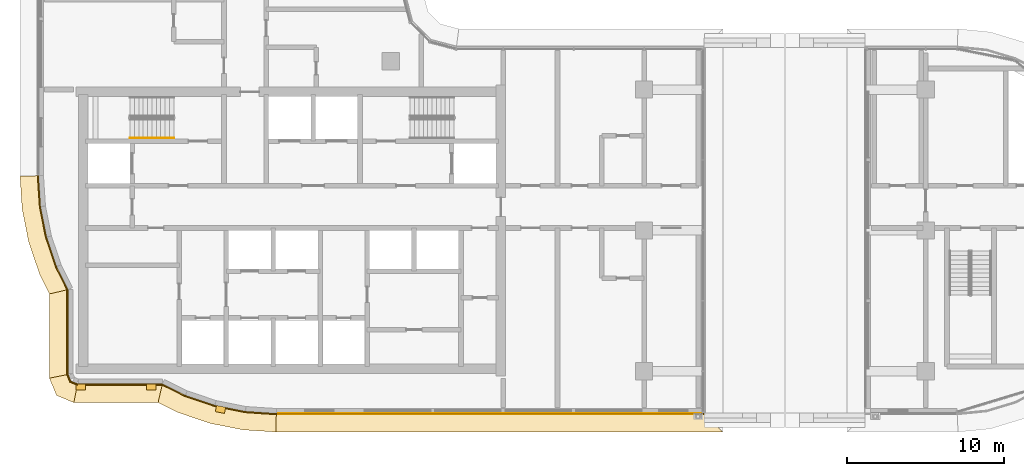
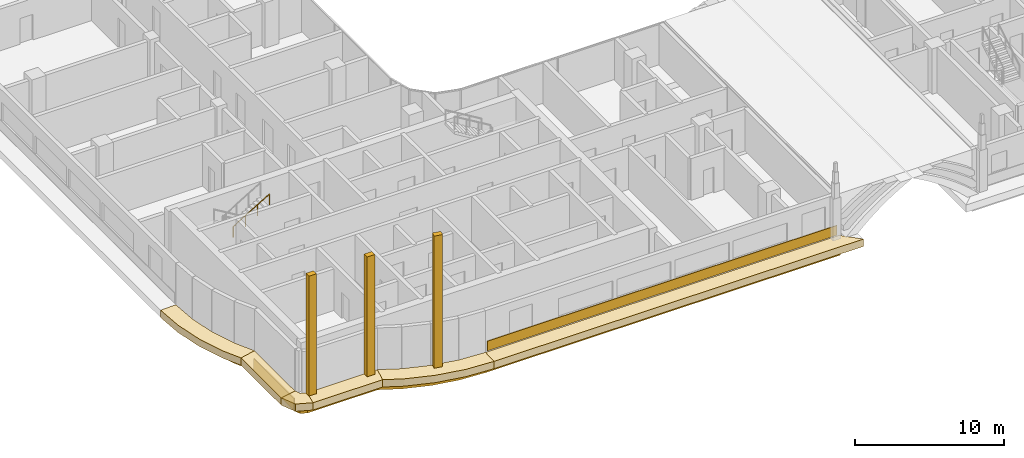
# One storey, part 17 of 23: 16 coverings, 1 railing.
"""IFC4 building model written with IfcOpenShell, lengths in metres."""

import ifcopenshell
import ifcopenshell.guid

model = None  # the IFC model being written
_history = None  # IfcOwnerHistory: only IFC2X3 demands one
_inside = {}  # id of a spatial element -> (the spatial element, [elements in it])
_under = {}  # id of a project, library or spatial element -> (it, [spatial elements below it])
_declared = {}  # id of a project -> (the project, [libraries it declares])
_typed = {}  # id of a type object -> (the type object, [elements of that type])
_made_of = {}  # id of a material, layer set ... -> (it, [elements and type objects made of it])


def new_model(schema):
    """Start an empty IFC model of exactly this schema.

    Asked for "IFC4X3", IfcOpenShell would pick the latest addendum, in which some entities
    have other attributes; the version numbers below select the first issue.
    IFC2X3 requires an IfcOwnerHistory on every rooted entity: one is made here for all.
    """
    global model, _history
    if schema == "IFC4X3":
        model = ifcopenshell.file(schema_version=(4, 3, 0, 0))
    else:
        model = ifcopenshell.file(schema=schema)
    _inside.clear()
    _under.clear()
    _declared.clear()
    _typed.clear()
    _made_of.clear()
    _history = None
    if model.schema == "IFC2X3":
        org = make("IfcOrganization", Name="unknown")
        user = make(
            "IfcPersonAndOrganization",
            ThePerson=make("IfcPerson", FamilyName="unknown"),
            TheOrganization=org,
        )
        app = make(
            "IfcApplication",
            ApplicationDeveloper=org,
            Version="unknown",
            ApplicationFullName="unknown",
            ApplicationIdentifier="unknown",
        )
        _history = make(
            "IfcOwnerHistory",
            OwningUser=user,
            OwningApplication=app,
            ChangeAction="ADDED",
            CreationDate=0,
        )
    return model


def make(cls, **values):
    """One entity of the class cls with the attributes given. An attribute that is None is left unset."""
    return model.create_entity(
        cls, **{name: value for name, value in values.items() if value is not None}
    )


def rooted(cls, **values):
    """An entity with a GlobalId (a new one), such as an element, a storey or a relation."""
    return make(cls, GlobalId=ifcopenshell.guid.new(), OwnerHistory=_history, **values)


def si_unit(unit_type, name, prefix=None):
    """IfcSIUnit, for example si_unit("LENGTHUNIT", "METRE", prefix="MILLI")."""
    return make("IfcSIUnit", UnitType=unit_type, Prefix=prefix, Name=name)


def assignment(units):
    """IfcUnitAssignment: the units of a project."""
    return None if units is None else make("IfcUnitAssignment", Units=units)


def point(xyz):
    """IfcCartesianPoint."""
    return None if xyz is None else make("IfcCartesianPoint", Coordinates=xyz)


def direction(xyz):
    """IfcDirection."""
    return None if xyz is None else make("IfcDirection", DirectionRatios=xyz)


def frame(location, z_axis=None, x_axis=None):
    """IfcAxis2Placement3D, a coordinate frame: its origin and axes. An axis left out is left unset."""
    return make(
        "IfcAxis2Placement3D",
        Location=point(location),
        Axis=direction(z_axis),
        RefDirection=direction(x_axis),
    )


def frame_2d(location, x_axis=None):
    """IfcAxis2Placement2D, a coordinate frame in the plane: its origin and x axis."""
    return make(
        "IfcAxis2Placement2D", Location=point(location), RefDirection=direction(x_axis)
    )


def origin():
    """The frame at (0, 0, 0) with its axes left unset."""
    return frame((0.0, 0.0, 0.0))


def origin_2d():
    """The frame at (0, 0) in the plane with its x axis left unset."""
    return frame_2d((0.0, 0.0))


def place(relative_to, where):
    """IfcLocalPlacement: puts the frame where relative to a parent placement (None: the world)."""
    return make(
        "IfcLocalPlacement", PlacementRelTo=relative_to, RelativePlacement=where
    )


def context(
    kind, dimensions, precision=None, world=None, true_north=None, identifier=None
):
    """IfcGeometricRepresentationContext, for example the 3D "Model" context."""
    return make(
        "IfcGeometricRepresentationContext",
        ContextIdentifier=identifier,
        ContextType=kind,
        CoordinateSpaceDimension=dimensions,
        Precision=precision,
        WorldCoordinateSystem=world,
        TrueNorth=true_north,
    )


def subcontext(parent, identifier, kind, view, scale=None):
    """IfcGeometricRepresentationSubContext, for example "Body" below "Model"."""
    return make(
        "IfcGeometricRepresentationSubContext",
        ContextIdentifier=identifier,
        ContextType=kind,
        ParentContext=parent,
        TargetScale=scale,
        TargetView=view,
    )


def project(units=None, contexts=None):
    """IfcProject with its units and contexts."""
    return rooted(
        "IfcProject",
        Name="project",
        RepresentationContexts=contexts,
        UnitsInContext=assignment(units),
    )


def spatial(cls, under=None, at=None, **own):
    """A site, building, storey or space (cls), placed at a placement, below another one or the project."""
    s = rooted(cls, ObjectPlacement=at, **own)
    if under is not None:
        _under.setdefault(under.id(), (under, []))[1].append(s)
    return s


def polyline(points):
    """IfcPolyline through the points."""
    return make("IfcPolyline", Points=[point(p) for p in points])


def profile(cls, at=None, kind="AREA", **sizes):
    """A parametric profile (cls). Its sizes go by their IFC names, for example OverallWidth=200.0."""
    return make(cls, ProfileType=kind, Position=at, **sizes)


def rectangle(**sizes):
    """IfcRectangleProfileDef."""
    return profile("IfcRectangleProfileDef", **sizes)


def circle(**sizes):
    """IfcCircleProfileDef."""
    return profile("IfcCircleProfileDef", **sizes)


def outline(outer, holes=None, kind="AREA"):
    """IfcArbitraryClosedProfileDef: a profile drawn as a closed curve; with holes, ...WithVoids."""
    if holes is None:
        return make("IfcArbitraryClosedProfileDef", ProfileType=kind, OuterCurve=outer)
    return make(
        "IfcArbitraryProfileDefWithVoids",
        ProfileType=kind,
        OuterCurve=outer,
        InnerCurves=holes,
    )


def extrude(swept, where, along, depth):
    """IfcExtrudedAreaSolid: the profile swept, set in the frame where, extruded along a direction by depth."""
    return make(
        "IfcExtrudedAreaSolid",
        SweptArea=swept,
        Position=where,
        ExtrudedDirection=direction(along),
        Depth=depth,
    )


def shape(context_of_items, identifier, shape_type, items):
    """IfcShapeRepresentation: the items that make up one representation, for example the "Body"."""
    return make(
        "IfcShapeRepresentation",
        ContextOfItems=context_of_items,
        RepresentationIdentifier=identifier,
        RepresentationType=shape_type,
        Items=items,
    )


def material(Name=None, Category=None):
    """IfcMaterial."""
    return make("IfcMaterial", Name=Name, Category=Category)


def layer(
    of_material, thickness, ventilated=None, Name=None, Category=None, Priority=None
):
    """IfcMaterialLayer: one layer of a wall or slab, of a material (None: an air gap)."""
    return make(
        "IfcMaterialLayer",
        Material=of_material,
        LayerThickness=thickness,
        IsVentilated=ventilated,
        Name=Name,
        Category=Category,
        Priority=Priority,
    )


def layer_set(layers, Name=None):
    """IfcMaterialLayerSet."""
    return make("IfcMaterialLayerSet", MaterialLayers=layers, LayerSetName=Name)


def made_of(thing, what):
    """Note that an element or type object is made of a material, layer set ...; save() writes the relation."""
    if what is not None:
        _made_of.setdefault(what.id(), (what, []))[1].append(thing)
    return thing


def type_object(cls, material=None, **own):
    """A type object (cls), such as IfcWallType, which elements share."""
    return made_of(rooted(cls, **own), material)


def element(
    cls,
    number,
    at=None,
    inside=None,
    cuts=None,
    type_object=None,
    material=None,
    context=None,
    identifier="Body",
    shape_type=None,
    held_by="IfcProductDefinitionShape",
    body=None,
    shapes=None,
    **own,
):
    """One element of the class cls, such as IfcWall. Its Tag is "e" and its number.

    at: its placement. inside: the storey or other place that contains it. cuts: it is an
    opening in that element (IfcRelVoidsElement). A single representation is given by context,
    identifier, shape_type and body (its items); several are given by shapes. held_by: the class
    of the entity that holds the representations. save() writes the other relations.
    """
    e = rooted(cls, Tag="e%d" % number, ObjectPlacement=at, **own)
    if body is not None:
        shapes = [shape(context, identifier, shape_type, body)]
    if shapes is not None:
        e.Representation = make(held_by, Representations=shapes)
    if inside is not None:
        _inside.setdefault(inside.id(), (inside, []))[1].append(e)
    if cuts is not None:
        rooted(
            "IfcRelVoidsElement", RelatingBuildingElement=cuts, RelatedOpeningElement=e
        )
    if type_object is not None:
        _typed.setdefault(type_object.id(), (type_object, []))[1].append(e)
    return made_of(e, material)


def aggregate(whole, parts):
    """IfcRelAggregates: a whole, such as a stair, and the parts it consists of."""
    return rooted("IfcRelAggregates", RelatingObject=whole, RelatedObjects=parts)


def save(model, path):
    """Write the relations noted so far, then the file.

    IfcRelAggregates (storeys below a building ...), IfcRelContainedInSpatialStructure (elements
    in a storey), IfcRelDefinesByType, IfcRelAssociatesMaterial and IfcRelDeclares: one each for
    every whole, place, type object, material and project.
    """
    for whole, parts in _under.values():
        aggregate(whole, parts)
    for where, things in _inside.values():
        rooted(
            "IfcRelContainedInSpatialStructure",
            RelatedElements=things,
            RelatingStructure=where,
        )
    for kind, things in _typed.values():
        rooted("IfcRelDefinesByType", RelatedObjects=things, RelatingType=kind)
    for what, things in _made_of.values():
        rooted("IfcRelAssociatesMaterial", RelatedObjects=things, RelatingMaterial=what)
    for by, libraries in _declared.values():
        rooted("IfcRelDeclares", RelatingContext=by, RelatedDefinitions=libraries)
    model.write(path)


model = new_model("IFC4")

# Units and contexts
model_context = context("Model", 3, precision=1e-05, world=origin(), true_north=direction((0.0, 1.0)))
body_context = subcontext(model_context, "Body", "Model", "MODEL_VIEW")
ifc_project = project(units=[si_unit("LENGTHUNIT", "METRE"), si_unit("AREAUNIT", "SQUARE_METRE"), si_unit("VOLUMEUNIT", "CUBIC_METRE"), si_unit("PLANEANGLEUNIT", "RADIAN"), si_unit("MASSUNIT", "GRAM", prefix="KILO")], contexts=[model_context])

# Site, building, storey
site_placement = place(None, origin())
site = spatial("IfcSite", under=ifc_project, at=site_placement, CompositionType="ELEMENT")
building_placement = place(site_placement, origin())
building = spatial("IfcBuilding", under=site, at=building_placement, Name="Ogive Portal Towers", CompositionType="ELEMENT")
storey_placement = place(building_placement, frame((0.0, 0.0, 179.199951171875)))
storey = spatial("IfcBuildingStorey", under=building, at=storey_placement, Name="L44", CompositionType="ELEMENT", Elevation=179.199951171875)

# Railing
ifc_material_1 = material(Name="Stainless steel handrail", Category="steel")
railing_type = type_object("IfcRailingType", Name="INT-HANDRAIL", PredefinedType="HANDRAIL", material=ifc_material_1)
railing_placement = place(storey_placement, frame((34.64990234375, 36.39990234375, 2.018310546875)))
element("IfcRailing", 1, at=railing_placement, inside=storey, type_object=railing_type, Name="L44 ST-A1 stair handrail 2", PredefinedType="HANDRAIL", context=body_context, shape_type="SweptSolid", body=[
    extrude(circle(Radius=0.02392578125, at=origin_2d()), frame((0.0, 0.0, 0.8759765625), z_axis=(0.857275202839, 0.0, 0.514858452973), x_axis=(0.0, 1.0, 0.0)), (0.0, 0.0, 1.0), 3.26611328125),
    extrude(circle(Radius=0.02099609375, at=origin_2d()), origin(), (0.0, 0.0, 1.0), 0.851806640625),
    extrude(circle(Radius=0.02099609375, at=origin_2d()), frame((0.933349609375, 0.0, 0.560546875)), (0.0, 0.0, 1.0), 0.851806640625),
    extrude(circle(Radius=0.02099609375, at=origin_2d()), frame((1.86669921875, 0.0, 1.12109375)), (0.0, 0.0, 1.0), 0.851806640625),
    extrude(circle(Radius=0.02099609375, at=origin_2d()), frame((2.800048828125, 0.0, 1.681640625)), (0.0, 0.0, 1.0), 0.851806640625),
])

# Coverings
ifc_material_2 = material(Name="Limestone cladding on lightweight block wall", Category="masonry")
ifc_layer_1 = layer(ifc_material_2, 0.050048828125)
ifc_layer_set_1 = layer_set([ifc_layer_1], Name="SCREEN PERFORATED STONE")
covering_type_1 = type_object("IfcCoveringType", Name="SCREEN PERFORATED STONE", PredefinedType="CLADDING", material=ifc_layer_set_1)
covering_1_placement = place(storey_placement, frame((57.6298828125, 18.794921875, 0.10009765625), z_axis=(0.0, 0.0, 1.0), x_axis=(1.0, 0.0, 0.0)))
element("IfcCovering", 2, at=covering_1_placement, inside=storey, type_object=covering_type_1, Name="Tracery screen", PredefinedType="CLADDING", context=body_context, shape_type="SweptSolid", body=[
    extrude(rectangle(XDim=27.040283203125, YDim=0.050048828125, at=origin_2d()), origin(), (0.0, 0.0, 1.0), 0.800048828125),
])
ifc_layer_2 = layer(ifc_material_2, 0.39990234375)
ifc_layer_set_2 = layer_set([ifc_layer_2], Name="SPINE PIER STONE")
covering_type_2 = type_object("IfcCoveringType", Name="SPINE PIER STONE", PredefinedType="CLADDING", material=ifc_layer_set_2)
for number, where, z_axis, x_axis, name in (
    (3, (31.5, 20.5, 0.0), (0.0, 0.0, 1.0), (1.0, 0.0, 0.0), "SPINE PIER"),
    (4, (36.0, 20.5, 0.0), (0.0, 0.0, 1.0), (1.0, 0.0, 0.0), "SPINE PIER"),
):
    element("IfcCovering", number, at=place(storey_placement, frame(where, z_axis=z_axis, x_axis=x_axis)), inside=storey, type_object=covering_type_2, Name=name, PredefinedType="CLADDING", context=body_context, shape_type="SweptSolid", body=[
        extrude(rectangle(XDim=0.60009765625, YDim=0.39990234375, at=origin_2d()), origin(), (0.0, 0.0, 1.0), 9.800048828125),
    ])
covering_2_placement = place(storey_placement, frame((40.431640625, 19.0615234375, 0.0), z_axis=(0.0, 0.0, 1.0), x_axis=(0.980785280403, -0.195090322016, 0.0)))
element("IfcCovering", 5, at=covering_2_placement, inside=storey, type_object=covering_type_2, Name="SPINE PIER", PredefinedType="CLADDING", context=body_context, shape_type="SweptSolid", body=[
    extrude(rectangle(XDim=0.60009765625, YDim=0.39990234375, at=origin_2d()), origin(), (0.0, 0.0, 1.0), 10.800048828125),
])
ifc_layer_3 = layer(ifc_material_2, 0.080078125)
ifc_layer_set_3 = layer_set([ifc_layer_3], Name="STONE SPANDREL 80")
covering_type_3 = type_object("IfcCoveringType", Name="STONE SPANDREL 80", PredefinedType="CLADDING", material=ifc_layer_set_3)
covering_3_placement = place(storey_placement, frame((0.0, 0.0, -1.599853515625)))
element("IfcCovering", 6, at=covering_3_placement, inside=storey, type_object=covering_type_3, Name="Stone spandrel A1-F01", PredefinedType="CLADDING", context=body_context, shape_type="SweptSolid", body=[
    extrude(outline(polyline([(30.699951171875, 26.7216796875), (30.699951171875, 21.300048828125), (30.6201171875, 21.2841796875), (30.6201171875, 26.703125), (30.699951171875, 26.7216796875)])), origin(), (0.0, 0.0, 1.0), 1.0),
])
covering_4_placement = place(storey_placement, frame((0.0, 0.0, -1.599853515625)))
element("IfcCovering", 7, at=covering_4_placement, inside=storey, type_object=covering_type_3, Name="Stone spandrel A1-F02", PredefinedType="CLADDING", context=body_context, shape_type="SweptSolid", body=[
    extrude(outline(polyline([(30.699951171875, 21.300048828125), (30.875732421875, 20.875732421875), (31.300048828125, 20.699951171875), (31.2841796875, 20.6201171875), (30.814453125, 20.814453125), (30.6201171875, 21.2841796875), (30.699951171875, 21.300048828125)])), origin(), (0.0, 0.0, 1.0), 1.0),
])
covering_5_placement = place(storey_placement, frame((0.0, 0.0, -1.599853515625)))
element("IfcCovering", 8, at=covering_5_placement, inside=storey, type_object=covering_type_3, Name="Stone spandrel A1-F03", PredefinedType="CLADDING", context=body_context, shape_type="SweptSolid", body=[
    extrude(outline(polyline([(31.300048828125, 20.699951171875), (36.7216796875, 20.699951171875), (36.703125, 20.6201171875), (31.2841796875, 20.6201171875), (31.300048828125, 20.699951171875)])), origin(), (0.0, 0.0, 1.0), 1.0),
])
covering_6_placement = place(storey_placement, frame((0.0, 0.0, -1.599853515625)))
element("IfcCovering", 9, at=covering_6_placement, inside=storey, type_object=covering_type_3, Name="Stone spandrel A1-F04", PredefinedType="CLADDING", context=body_context, shape_type="SweptSolid", body=[
    extrude(outline(polyline([(36.7216796875, 20.699951171875), (38.19091796875, 19.9755859375), (40.071044921875, 19.337158203125), (42.0185546875, 18.949951171875), (44.0, 18.820068359375), (43.997314453125, 18.739990234375), (42.008056640625, 18.870361328125), (40.05029296875, 19.259765625), (38.16015625, 19.9013671875), (36.703125, 20.6201171875), (36.7216796875, 20.699951171875)])), origin(), (0.0, 0.0, 1.0), 1.0),
])
covering_7_placement = place(storey_placement, frame((0.0, 0.0, -1.599853515625)))
element("IfcCovering", 10, at=covering_7_placement, inside=storey, type_object=covering_type_3, Name="Stone spandrel A1-F05", PredefinedType="CLADDING", context=body_context, shape_type="SweptSolid", body=[
    extrude(outline(polyline([(44.0, 18.820068359375), (71.330078125, 18.820068359375), (71.409912109375, 18.739990234375), (43.997314453125, 18.739990234375), (44.0, 18.820068359375)])), origin(), (0.0, 0.0, 1.0), 1.0),
])
covering_8_placement = place(storey_placement, frame((0.0, 0.0, -1.599853515625)))
element("IfcCovering", 11, at=covering_8_placement, inside=storey, type_object=covering_type_3, Name="Stone spandrel A1-F12", PredefinedType="CLADDING", context=body_context, shape_type="SweptSolid", body=[
    extrude(outline(polyline([(28.820068359375, 34.0), (28.949951171875, 32.0185546875), (29.337158203125, 30.071044921875), (29.9755859375, 28.19091796875), (30.699951171875, 26.7216796875), (30.6201171875, 26.703125), (29.9013671875, 28.16015625), (29.259765625, 30.05029296875), (28.870361328125, 32.008056640625), (28.739990234375, 33.997314453125), (28.820068359375, 34.0)])), origin(), (0.0, 0.0, 1.0), 1.0),
])
ifc_layer_4 = layer(ifc_material_2, 0.60009765625)
ifc_layer_set_4 = layer_set([ifc_layer_4], Name="SUNSHADE LIP 600")
covering_type_4 = type_object("IfcCoveringType", Name="SUNSHADE LIP 600", PredefinedType="CLADDING", material=ifc_layer_set_4)
covering_9_placement = place(storey_placement, frame((0.0, 0.0, -0.599853515625)))
element("IfcCovering", 12, at=covering_9_placement, inside=storey, type_object=covering_type_4, Name="Sunshade lip A1-F01", PredefinedType="CLADDING", context=body_context, shape_type="SweptSolid", body=[
    extrude(outline(polyline([(30.699951171875, 26.7216796875), (30.699951171875, 21.300048828125), (29.5, 21.061279296875), (29.5, 26.44189453125), (30.699951171875, 26.7216796875)])), origin(), (0.0, 0.0, 1.0), 0.599853515625),
])
covering_10_placement = place(storey_placement, frame((0.0, 0.0, -0.599853515625)))
element("IfcCovering", 13, at=covering_10_placement, inside=storey, type_object=covering_type_4, Name="Sunshade lip A1-F02", PredefinedType="CLADDING", context=body_context, shape_type="SweptSolid", body=[
    extrude(outline(polyline([(30.699951171875, 21.300048828125), (30.875732421875, 20.875732421875), (31.300048828125, 20.699951171875), (31.061279296875, 19.5), (29.957275390625, 19.957275390625), (29.5, 21.061279296875), (30.699951171875, 21.300048828125)])), origin(), (0.0, 0.0, 1.0), 0.599853515625),
])
covering_11_placement = place(storey_placement, frame((0.0, 0.0, -0.599853515625)))
element("IfcCovering", 14, at=covering_11_placement, inside=storey, type_object=covering_type_4, Name="Sunshade lip A1-F03", PredefinedType="CLADDING", context=body_context, shape_type="SweptSolid", body=[
    extrude(outline(polyline([(31.300048828125, 20.699951171875), (36.7216796875, 20.699951171875), (36.44189453125, 19.5), (31.061279296875, 19.5), (31.300048828125, 20.699951171875)])), origin(), (0.0, 0.0, 1.0), 0.599853515625),
])
covering_12_placement = place(storey_placement, frame((0.0, 0.0, -0.599853515625)))
element("IfcCovering", 15, at=covering_12_placement, inside=storey, type_object=covering_type_4, Name="Sunshade lip A1-F04", PredefinedType="CLADDING", context=body_context, shape_type="SweptSolid", body=[
    extrude(outline(polyline([(36.7216796875, 20.699951171875), (38.19091796875, 19.9755859375), (40.071044921875, 19.337158203125), (42.0185546875, 18.949951171875), (44.0, 18.820068359375), (43.960693359375, 17.6201171875), (41.861572265625, 17.757568359375), (39.759765625, 18.175537109375), (37.730712890625, 18.864501953125), (36.44189453125, 19.5), (36.7216796875, 20.699951171875)])), origin(), (0.0, 0.0, 1.0), 0.599853515625),
])
covering_13_placement = place(storey_placement, frame((0.0, 0.0, -0.599853515625)))
element("IfcCovering", 16, at=covering_13_placement, inside=storey, type_object=covering_type_4, Name="Sunshade lip A1-F05", PredefinedType="CLADDING", context=body_context, shape_type="SweptSolid", body=[
    extrude(outline(polyline([(44.0, 18.820068359375), (71.330078125, 18.820068359375), (72.530029296875, 17.6201171875), (43.960693359375, 17.6201171875), (44.0, 18.820068359375)])), origin(), (0.0, 0.0, 1.0), 0.599853515625),
])
covering_14_placement = place(storey_placement, frame((0.0, 0.0, -0.599853515625)))
element("IfcCovering", 17, at=covering_14_placement, inside=storey, type_object=covering_type_4, Name="Sunshade lip A1-F12", PredefinedType="CLADDING", context=body_context, shape_type="SweptSolid", body=[
    extrude(outline(polyline([(28.820068359375, 34.0), (28.949951171875, 32.0185546875), (29.337158203125, 30.071044921875), (29.9755859375, 28.19091796875), (30.699951171875, 26.7216796875), (29.5, 26.44189453125), (28.864501953125, 27.730712890625), (28.175537109375, 29.759765625), (27.757568359375, 31.861572265625), (27.6201171875, 33.960693359375), (28.820068359375, 34.0)])), origin(), (0.0, 0.0, 1.0), 0.599853515625),
])

save(model, "model.ifc")
